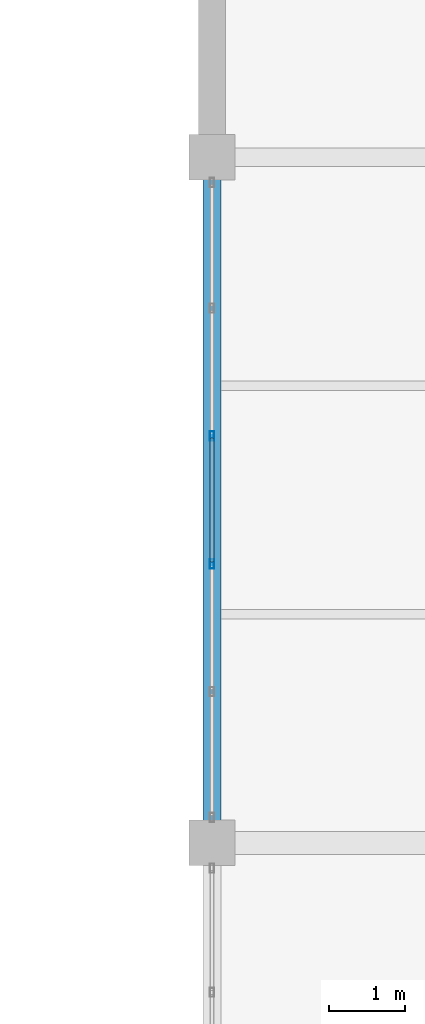
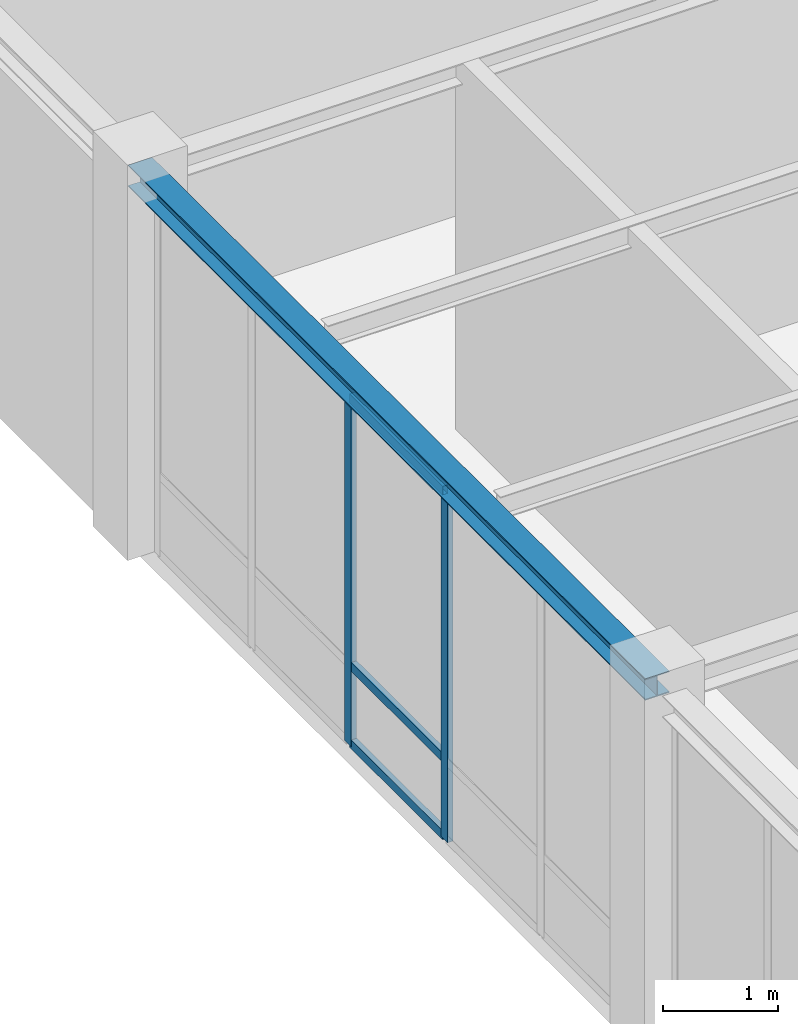
# One storey, part 30 of 97: 5 members, 1 beam, 1 element without a shape of its own.
"""IFC4 building model written with IfcOpenShell, lengths in metres."""

from ifc_helpers import new_model, si_unit, direction, frame, origin, origin_2d, place, context, subcontext, project, spatial, hollow_rectangle, i_section, extrude, material, material_profile, profile_set, type_object, element, aggregate, save


model = new_model("IFC4")

# Units and contexts
model_context = context("Model", 3, precision=1e-05, world=origin(), true_north=direction((0.0, 1.0)))
body_context = subcontext(model_context, "Body", "Model", "MODEL_VIEW")
ifc_project = project(units=[si_unit("LENGTHUNIT", "METRE"), si_unit("AREAUNIT", "SQUARE_METRE"), si_unit("VOLUMEUNIT", "CUBIC_METRE"), si_unit("PLANEANGLEUNIT", "RADIAN"), si_unit("MASSUNIT", "GRAM", prefix="KILO")], contexts=[model_context])

# Site, building, storey
site_placement = place(None, origin())
site = spatial("IfcSite", under=ifc_project, at=site_placement, CompositionType="ELEMENT")
building_placement = place(site_placement, origin())
building = spatial("IfcBuilding", under=site, at=building_placement, Name="Lykobir Media Centre", CompositionType="ELEMENT")
storey_placement = place(building_placement, frame((0.0, 0.0, 23.39990234375)))
storey = spatial("IfcBuildingStorey", under=building, at=storey_placement, Name="L05", CompositionType="ELEMENT", Elevation=23.39990234375)

# Curtain wall, members
ifc_material_1 = material(Name="Anodized Aluminium AW-6060", Category="aluminium")
curtain_wall_type = type_object("IfcCurtainWallType", Name="CW-COURT-B", PredefinedType="NOTDEFINED", material=ifc_material_1)
curtain_wall_placement = place(storey_placement, origin())
curtain_wall = element("IfcCurtainWall", 1, at=curtain_wall_placement, inside=storey, type_object=curtain_wall_type, Name="Curtain wall CW2-L05-0202", PredefinedType="NOTDEFINED")
ifc_material_profile_1 = material_profile(ifc_material_1, hollow_rectangle(XDim=0.054931640625, YDim=0.1201171875, WallThickness=0.003173828125, at=origin_2d()), Name="ALU MULLION 55x120")
ifc_profile_set_1 = profile_set([ifc_material_profile_1], Name="Anodized Aluminium AW-6060")
member_type_1 = type_object("IfcMemberType", Name="CWM-120", PredefinedType="MULLION", material=ifc_profile_set_1)
member_1_placement = place(storey_placement, frame((27.0, 57.660888671875, 0.0), z_axis=(0.0, 0.0, 1.0), x_axis=(-1.0, 0.0, 0.0)))
member_1 = element("IfcMember", 2, at=member_1_placement, type_object=member_type_1, Name="CW2-L05-0202 mullion 3", PredefinedType="MULLION", context=body_context, shape_type="SweptSolid", body=[
    extrude(hollow_rectangle(XDim=0.054931640625, YDim=0.1201171875, WallThickness=0.003173828125, at=origin_2d()), origin(), (0.0, 0.0, 1.0), 3.713134765625),
])
member_2_placement = place(storey_placement, frame((27.0, 59.339111328125, 0.0), z_axis=(0.0, 0.0, 1.0), x_axis=(-1.0, 0.0, 0.0)))
member_2 = element("IfcMember", 3, at=member_2_placement, type_object=member_type_1, Name="CW2-L05-0202 mullion 4", PredefinedType="MULLION", context=body_context, shape_type="SweptSolid", body=[
    extrude(hollow_rectangle(XDim=0.054931640625, YDim=0.1201171875, WallThickness=0.003173828125, at=origin_2d()), origin(), (0.0, 0.0, 1.0), 3.713134765625),
])
ifc_material_profile_2 = material_profile(ifc_material_1, hollow_rectangle(XDim=0.054931640625, YDim=0.094970703125, WallThickness=0.0029296875, at=origin_2d()), Name="ALU TRANSOM 55x95")
ifc_profile_set_2 = profile_set([ifc_material_profile_2], Name="Anodized Aluminium AW-6060")
member_type_2 = type_object("IfcMemberType", Name="CWT-095", PredefinedType="USERDEFINED", material=ifc_profile_set_2)
member_3_placement = place(storey_placement, frame((27.0, 57.6884765625, 0.027587890625), z_axis=(0.0, 1.0, 0.0), x_axis=(-1.0, 0.0, 0.0)))
member_3 = element("IfcMember", 4, at=member_3_placement, type_object=member_type_2, Name="CW2-L05-0202 transom 3.1", ObjectType="TRANSOM", PredefinedType="USERDEFINED", context=body_context, shape_type="SweptSolid", body=[
    extrude(hollow_rectangle(XDim=0.054931640625, YDim=0.094970703125, WallThickness=0.0029296875, at=origin_2d()), origin(), (0.0, 0.0, 1.0), 1.623046875),
])
member_4_placement = place(storey_placement, frame((27.0, 57.6884765625, 0.85009765625), z_axis=(0.0, 1.0, 0.0), x_axis=(-1.0, 0.0, 0.0)))
member_4 = element("IfcMember", 5, at=member_4_placement, type_object=member_type_2, Name="CW2-L05-0202 transom 3.2", ObjectType="TRANSOM", PredefinedType="USERDEFINED", context=body_context, shape_type="SweptSolid", body=[
    extrude(hollow_rectangle(XDim=0.054931640625, YDim=0.094970703125, WallThickness=0.0029296875, at=origin_2d()), origin(), (0.0, 0.0, 1.0), 1.623046875),
])
member_5_placement = place(storey_placement, frame((27.0, 57.6884765625, 3.685546875), z_axis=(0.0, 1.0, 0.0), x_axis=(-1.0, 0.0, 0.0)))
member_5 = element("IfcMember", 6, at=member_5_placement, type_object=member_type_2, Name="CW2-L05-0202 transom 3.3", ObjectType="TRANSOM", PredefinedType="USERDEFINED", context=body_context, shape_type="SweptSolid", body=[
    extrude(hollow_rectangle(XDim=0.054931640625, YDim=0.094970703125, WallThickness=0.0029296875, at=origin_2d()), origin(), (0.0, 0.0, 1.0), 1.623046875),
])
aggregate(curtain_wall, [member_1, member_2, member_3, member_4, member_5])

# Beam
ifc_material_2 = material(Name="Steel S355", Category="steel")
ifc_material_profile_3 = material_profile(ifc_material_2, i_section(OverallWidth=0.239990234375, OverallDepth=0.22998046875, WebThickness=0.007568359375, FlangeThickness=0.011962890625, at=origin_2d()), Name="HEA 240")
ifc_profile_set_3 = profile_set([ifc_material_profile_3], Name="Steel S355")
beam_type = type_object("IfcBeamType", Name="SP-HEA240", PredefinedType="SPANDREL", material=ifc_profile_set_3)
beam_placement = place(storey_placement, frame((27.0, 54.0, 3.843017578125), z_axis=(0.0, 1.0, 0.0), x_axis=(-1.0, 0.0, 0.0)))
element("IfcBeam", 7, at=beam_placement, inside=storey, type_object=beam_type, Name="Beam BM-L05-0270-0540-0270-0630-2730", PredefinedType="SPANDREL", context=body_context, shape_type="SweptSolid", body=[
    extrude(i_section(OverallWidth=0.239990234375, OverallDepth=0.22998046875, WebThickness=0.007568359375, FlangeThickness=0.011962890625, at=origin_2d()), origin(), (0.0, 0.0, 1.0), 9.0),
])

save(model, "model.ifc")
